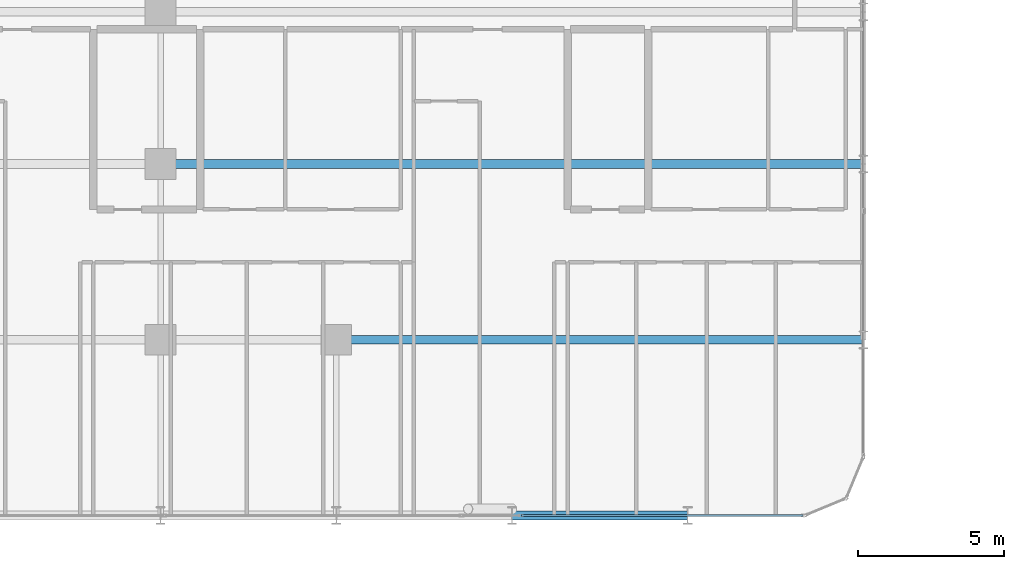
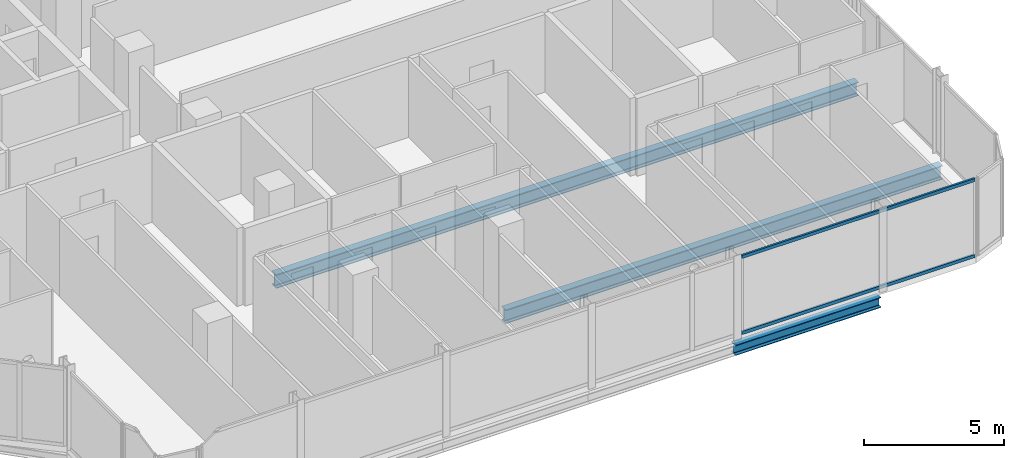
# One storey, part 9 of 30: 3 beams, 2 members, 1 element without a shape of its own.
"""IFC4 building model written with IfcOpenShell, lengths in metres."""

from ifc_helpers import new_model, si_unit, direction, frame, origin, origin_2d, place, context, subcontext, project, spatial, hollow_rectangle, i_section, extrude, material, layer, layer_set, material_profile, profile_set, type_object, element, aggregate, save


model = new_model("IFC4")

# Units and contexts
model_context = context("Model", 3, precision=1e-05, world=origin(), true_north=direction((0.0, 1.0)))
body_context = subcontext(model_context, "Body", "Model", "MODEL_VIEW")
ifc_project = project(units=[si_unit("LENGTHUNIT", "METRE"), si_unit("AREAUNIT", "SQUARE_METRE"), si_unit("VOLUMEUNIT", "CUBIC_METRE"), si_unit("PLANEANGLEUNIT", "RADIAN"), si_unit("MASSUNIT", "GRAM", prefix="KILO")], contexts=[model_context])

# Site, building, storey
site_placement = place(None, origin())
site = spatial("IfcSite", under=ifc_project, at=site_placement, CompositionType="ELEMENT")
building_placement = place(site_placement, origin())
building = spatial("IfcBuilding", under=site, at=building_placement, Name="Keshet Zoharim Tower", CompositionType="ELEMENT")
storey_placement = place(building_placement, frame((0.0, 0.0, 90.89990234375)))
storey = spatial("IfcBuildingStorey", under=building, at=storey_placement, Name="L21", CompositionType="ELEMENT", Elevation=90.89990234375)

# Beams
ifc_material_1 = material(Name="Steel S355", Category="steel")
ifc_material_profile_1 = material_profile(ifc_material_1, i_section(OverallWidth=0.300048828125, OverallDepth=0.60009765625, WebThickness=0.015380859375, FlangeThickness=0.030029296875, FilletRadius=0.027099609375, at=origin_2d()), Name="HEB600")
ifc_profile_set_1 = profile_set([ifc_material_profile_1], Name="Steel S355")
beam_type_1 = type_object("IfcBeamType", Name="BM-LNG-HB600", PredefinedType="BEAM", material=ifc_profile_set_1)
beam_1_placement = place(storey_placement, frame((39.0, 6.699951171875, -0.614990234375), z_axis=(1.0, 0.0, 0.0), x_axis=(0.0, 1.0, 0.0)))
element("IfcBeam", 1, at=beam_1_placement, inside=storey, type_object=beam_type_1, Name="L21 Primary Girder X-008", PredefinedType="BEAM", context=body_context, shape_type="SweptSolid", body=[
    extrude(i_section(OverallWidth=0.300048828125, OverallDepth=0.60009765625, WebThickness=0.015380859375, FlangeThickness=0.030029296875, FilletRadius=0.027099609375, at=origin_2d()), origin(), (0.0, 0.0, 1.0), 18.0),
])
beam_2_placement = place(storey_placement, frame((33.0, 12.699951171875, -0.614990234375), z_axis=(1.0, 0.0, 0.0), x_axis=(0.0, 1.0, 0.0)))
element("IfcBeam", 2, at=beam_2_placement, inside=storey, type_object=beam_type_1, Name="L21 Primary Girder X-010", PredefinedType="BEAM", context=body_context, shape_type="SweptSolid", body=[
    extrude(i_section(OverallWidth=0.300048828125, OverallDepth=0.60009765625, WebThickness=0.015380859375, FlangeThickness=0.030029296875, FilletRadius=0.027099609375, at=origin_2d()), origin(), (0.0, 0.0, 1.0), 24.0),
])
ifc_material_profile_2 = material_profile(ifc_material_1, i_section(OverallWidth=0.300048828125, OverallDepth=0.449951171875, WebThickness=0.013916015625, FlangeThickness=0.02587890625, FilletRadius=0.027099609375, at=origin_2d()), Name="HEB450")
ifc_profile_set_2 = profile_set([ifc_material_profile_2], Name="Steel S355")
beam_type_2 = type_object("IfcBeamType", Name="BM-WEB-HB450", PredefinedType="BEAM", material=ifc_profile_set_2)
beam_3_placement = place(storey_placement, frame((45.0, 0.699951171875, -0.539794921875), z_axis=(1.0, 0.0, 0.0), x_axis=(0.0, 1.0, 0.0)))
element("IfcBeam", 3, at=beam_3_placement, inside=storey, type_object=beam_type_2, Name="L21 Primary Girder X-004", PredefinedType="BEAM", context=body_context, shape_type="SweptSolid", body=[
    extrude(i_section(OverallWidth=0.300048828125, OverallDepth=0.449951171875, WebThickness=0.013916015625, FlangeThickness=0.02587890625, FilletRadius=0.027099609375, at=origin_2d()), origin(), (0.0, 0.0, 1.0), 6.0),
])

# Curtain wall, members
ifc_material_2 = material(Name="Aluminium 6063-T6", Category="aluminium")
ifc_layer = layer(ifc_material_2, 0.159912109375)
ifc_layer_set = layer_set([ifc_layer], Name="Aluminium 6063-T6")
curtain_wall_type = type_object("IfcCurtainWallType", Name="CW-SYS-03", PredefinedType="NOTDEFINED", material=ifc_layer_set)
curtain_wall_placement = place(storey_placement, origin())
curtain_wall = element("IfcCurtainWall", 4, at=curtain_wall_placement, inside=storey, type_object=curtain_wall_type, Name="L21 Unitised Curtain Wall 03", PredefinedType="NOTDEFINED")
ifc_material_profile_3 = material_profile(ifc_material_2, hollow_rectangle(XDim=0.080078125, YDim=0.139892578125, WallThickness=0.00390625, at=origin_2d()), Name="TRN-80x140")
ifc_profile_set_3 = profile_set([ifc_material_profile_3], Name="Aluminium 6063-T6")
member_type = type_object("IfcMemberType", Name="CWT-T14", PredefinedType="USERDEFINED", material=ifc_profile_set_3)
member_1_placement = place(storey_placement, frame((54.929931640625, 0.699951171875, 0.03515625), z_axis=(-1.0, 0.0, 0.0), x_axis=(0.0, -1.0, 0.0)))
member_1 = element("IfcMember", 5, at=member_1_placement, type_object=member_type, Name="CW-03 transom 1.1", ObjectType="TRANSOM", PredefinedType="USERDEFINED", context=body_context, shape_type="SweptSolid", body=[
    extrude(hollow_rectangle(XDim=0.080078125, YDim=0.139892578125, WallThickness=0.00390625, at=origin_2d()), origin(), (0.0, 0.0, 1.0), 9.597412109375),
])
member_2_placement = place(storey_placement, frame((54.929931640625, 0.699951171875, 3.35009765625), z_axis=(-1.0, 0.0, 0.0), x_axis=(0.0, -1.0, 0.0)))
member_2 = element("IfcMember", 6, at=member_2_placement, type_object=member_type, Name="CW-03 transom 1.2", ObjectType="TRANSOM", PredefinedType="USERDEFINED", context=body_context, shape_type="SweptSolid", body=[
    extrude(hollow_rectangle(XDim=0.080078125, YDim=0.139892578125, WallThickness=0.00390625, at=origin_2d()), origin(), (0.0, 0.0, 1.0), 9.597412109375),
])
aggregate(curtain_wall, [member_1, member_2])

save(model, "model.ifc")
